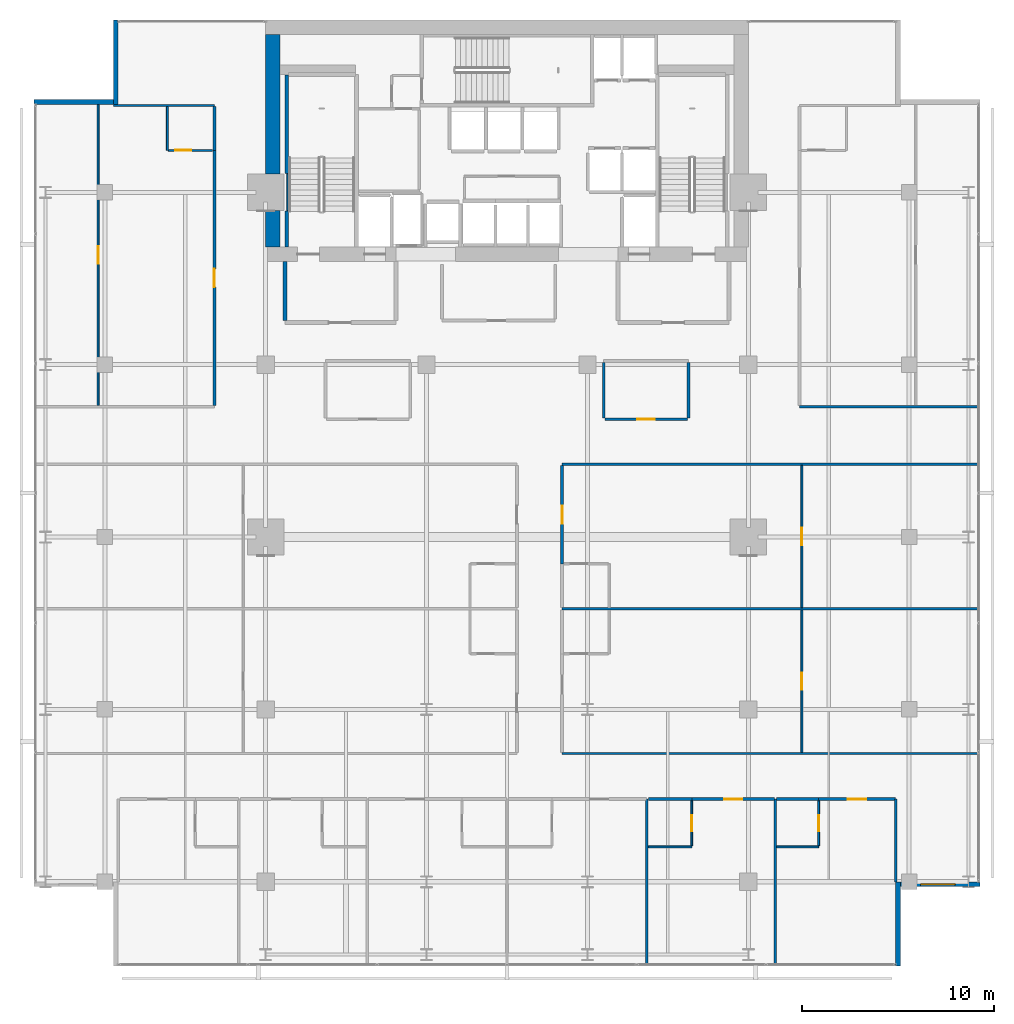
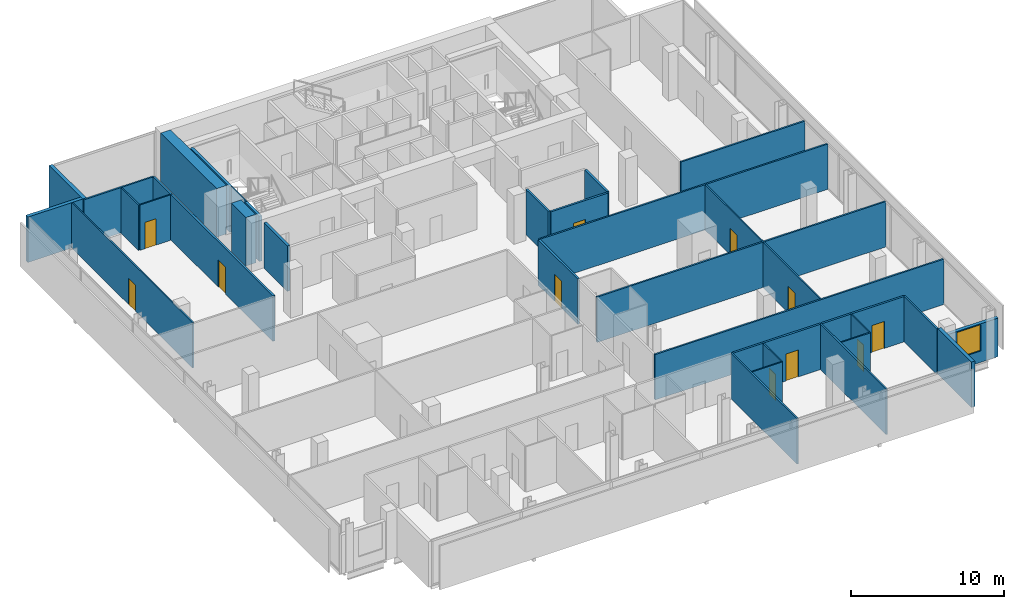
# One storey, part 28 of 33: 37 walls, 11 doors, 1 window, 12 openings.
"""IFC4 building model written with IfcOpenShell, lengths in metres."""

from ifc_helpers import new_model, si_unit, direction, frame, frame_2d, origin, place, context, subcontext, project, spatial, rectangle, extrude, material, layer, layer_set, type_object, element, fill, save


model = new_model("IFC4")

# Units and contexts
model_context = context("Model", 3, precision=1e-05, world=origin(), true_north=direction((0.0, 1.0)))
body_context = subcontext(model_context, "Body", "Model", "MODEL_VIEW")
ifc_project = project(units=[si_unit("LENGTHUNIT", "METRE"), si_unit("AREAUNIT", "SQUARE_METRE"), si_unit("VOLUMEUNIT", "CUBIC_METRE"), si_unit("PLANEANGLEUNIT", "RADIAN"), si_unit("MASSUNIT", "GRAM", prefix="KILO")], contexts=[model_context])

# Site, building, storey
site_placement = place(None, origin())
site = spatial("IfcSite", under=ifc_project, at=site_placement, CompositionType="ELEMENT")
building_placement = place(site_placement, origin())
building = spatial("IfcBuilding", under=site, at=building_placement, Name="Maruvema Waterfront Hotel and Observation Tower", CompositionType="ELEMENT")
storey_placement = place(building_placement, frame((0.0, 0.0, 196.699951171875)))
storey = spatial("IfcBuildingStorey", under=building, at=storey_placement, Name="L48", CompositionType="ELEMENT", Elevation=196.699951171875)

# Walls
ifc_material_1 = material(Name="Twin-stud acoustic gypsum drywall", Category="gypsum")
ifc_layer_1 = layer(ifc_material_1, 0.14990234375, Name="Acoustic Corridor and Suite Demising Wall 150 mm")
ifc_layer_set_1 = layer_set([ifc_layer_1], Name="Twin-stud acoustic gypsum drywall")
wall_type_1 = type_object("IfcWallType", Name="Acoustic Corridor and Suite Demising Wall 150 mm", PredefinedType="PARTITIONING", material=ifc_layer_set_1)
for number, where, z_axis, x_axis, name in (
    (1, (42.85009765625, 33.22998046875, 0.0), (0.0, 0.0, 1.0), (0.0, 1.0, 0.0), "L48 L48-M2 West Wall 026"),
    (2, (47.280029296875, 33.22998046875, 0.0), (0.0, 0.0, 1.0), (0.0, 1.0, 0.0), "L48 L48-M2 East Wall 027"),
):
    element("IfcWall", number, at=place(storey_placement, frame(where, z_axis=z_axis, x_axis=x_axis)), inside=storey, type_object=wall_type_1, Name=name, PredefinedType="PARTITIONING", context=body_context, shape_type="SweptSolid", body=[
        extrude(rectangle(XDim=2.89013671875, YDim=0.14990234375, at=frame_2d((1.445068359375, 0.0))), origin(), (0.0, 0.0, 1.0), 3.610107421875),
    ])

# Wall, opening, door
wall_1_placement = place(storey_placement, frame((42.909912109375, 33.14990234375, 0.0), z_axis=(0.0, 0.0, 1.0), x_axis=(1.0, 0.0, 0.0)))
wall_1 = element("IfcWall", 3, at=wall_1_placement, inside=storey, type_object=wall_type_1, Name="L48 L48-M2 Front 1 028", PredefinedType="PARTITIONING", context=body_context, shape_type="SweptSolid", body=[
    extrude(rectangle(XDim=4.31005859375, YDim=0.14990234375, at=frame_2d((2.155029296875, 0.0))), origin(), (0.0, 0.0, 1.0), 3.610107421875),
])
opening_1_placement = place(wall_1_placement, frame((1.705078125, 0.0, 0.0)))
opening_1 = element("IfcOpeningElement", 4, at=opening_1_placement, cuts=wall_1, Name="Opening DR-090", PredefinedType="OPENING", context=body_context, shape_type="SweptSolid", body=[
    extrude(rectangle(XDim=0.89990234375, YDim=2.10009765625, at=frame_2d((0.449951171875, 1.050048828125))), frame((0.0, 0.0849609375, 0.0), z_axis=(0.0, -1.0, 0.0), x_axis=(1.0, 0.0, 0.0)), (0.0, 0.0, 1.0), 0.169921875),
])
ifc_material_2 = material(Name="Solid-core lacquered timber leaf", Category="wood")
door_type_1 = type_object("IfcDoorType", Name="Accessible Toilet and Room Door 900x2100 mm", OperationType="NOTDEFINED", PredefinedType="DOOR", material=ifc_material_2)
door_1_placement = place(opening_1_placement, frame((0.89990234375, 0.0, 0.0), z_axis=(0.0, 0.0, 1.0), x_axis=(-1.0, 0.0, 0.0)))
door_1 = element("IfcDoor", 5, at=door_1_placement, inside=storey, type_object=door_type_1, Name="L48 Executive Office 3 Door", OperationType="SINGLE_SWING_LEFT", OverallHeight=2.10009765625, OverallWidth=0.89990234375, PredefinedType="DOOR", context=body_context, shape_type="SweptSolid", body=[
    extrude(rectangle(XDim=0.89990234375, YDim=2.10009765625, at=frame_2d((0.449951171875, 1.050048828125))), frame((0.0, 0.02490234375, 0.0), z_axis=(0.0, -1.0, 0.0), x_axis=(1.0, 0.0, 0.0)), (0.0, 0.0, 1.0), 0.050048828125),
])
fill(opening_1, door_1)

# Wall
wall_2_placement = place(storey_placement, frame((45.179931640625, 13.320068359375, 0.0), z_axis=(0.0, 0.0, 1.0), x_axis=(1.0, 0.0, 0.0)))
element("IfcWall", 6, at=wall_2_placement, inside=storey, type_object=wall_type_1, Name="L48 Bath L48-S5 Back Wall 051", PredefinedType="PARTITIONING", context=body_context, shape_type="SweptSolid", body=[
    extrude(rectangle(XDim=2.27001953125, YDim=0.14990234375, at=frame_2d((1.135009765625, 0.0))), origin(), (0.0, 0.0, 1.0), 3.610107421875),
])

# Wall, opening, door
wall_3_placement = place(storey_placement, frame((47.449951171875, 13.320068359375, 0.0), z_axis=(0.0, 0.0, 1.0), x_axis=(1.0, 0.0, 0.0)))
wall_3 = element("IfcWall", 7, at=wall_3_placement, inside=storey, type_object=wall_type_1, Name="L48 Unit L48-S5 Corridor Wall 054", PredefinedType="PARTITIONING", context=body_context, shape_type="SweptSolid", body=[
    extrude(rectangle(XDim=4.330078125, YDim=0.14990234375, at=frame_2d((2.1650390625, 0.0))), origin(), (0.0, 0.0, 1.0), 3.610107421875),
])
opening_2_placement = place(wall_3_placement, frame((1.68994140625, 0.0, 0.0)))
opening_2 = element("IfcOpeningElement", 8, at=opening_2_placement, cuts=wall_3, Name="Opening DR-095", PredefinedType="OPENING", context=body_context, shape_type="SweptSolid", body=[
    extrude(rectangle(XDim=0.949951171875, YDim=2.14990234375, at=frame_2d((0.47509765625, 1.074951171875))), frame((0.0, 0.0849609375, 0.0), z_axis=(0.0, -1.0, 0.0), x_axis=(1.0, 0.0, 0.0)), (0.0, 0.0, 1.0), 0.169921875),
])
ifc_material_3 = material(Name="Acoustic solid-core hardwood timber leaf", Category="wood")
door_type_2 = type_object("IfcDoorType", Name="Guestroom Entrance Fire Door 950x2150 mm", OperationType="NOTDEFINED", PredefinedType="DOOR", material=ifc_material_3)
door_2_placement = place(opening_2_placement, frame((0.949951171875, 0.0, 0.0), z_axis=(0.0, 0.0, 1.0), x_axis=(-1.0, 0.0, 0.0)))
door_2 = element("IfcDoor", 9, at=door_2_placement, inside=storey, type_object=door_type_2, Name="L48 Unit L48-S5 Entrance Door", OperationType="SINGLE_SWING_LEFT", OverallHeight=2.14990234375, OverallWidth=0.949951171875, PredefinedType="DOOR", context=body_context, shape_type="SweptSolid", body=[
    extrude(rectangle(XDim=0.949951171875, YDim=2.14990234375, at=frame_2d((0.47509765625, 1.074951171875))), frame((0.0, 0.02490234375, 0.0), z_axis=(0.0, -1.0, 0.0), x_axis=(1.0, 0.0, 0.0)), (0.0, 0.0, 1.0), 0.050048828125),
])
fill(opening_2, door_2)

# Wall
wall_4_placement = place(storey_placement, frame((51.8798828125, 13.320068359375, 0.0), z_axis=(0.0, 0.0, 1.0), x_axis=(1.0, 0.0, 0.0)))
element("IfcWall", 10, at=wall_4_placement, inside=storey, type_object=wall_type_1, Name="L48 Bath L48-S6 Back Wall 056", PredefinedType="PARTITIONING", context=body_context, shape_type="SweptSolid", body=[
    extrude(rectangle(XDim=2.190185546875, YDim=0.14990234375, at=frame_2d((1.09521484375, 0.0))), origin(), (0.0, 0.0, 1.0), 3.610107421875),
])

# Wall, opening, door
wall_5_placement = place(storey_placement, frame((54.070068359375, 13.320068359375, 0.0), z_axis=(0.0, 0.0, 1.0), x_axis=(1.0, 0.0, 0.0)))
wall_5 = element("IfcWall", 11, at=wall_5_placement, inside=storey, type_object=wall_type_1, Name="L48 Unit L48-S6 Corridor Wall 059", PredefinedType="PARTITIONING", context=body_context, shape_type="SweptSolid", body=[
    extrude(rectangle(XDim=4.010009765625, YDim=0.14990234375, at=frame_2d((2.0048828125, 0.0))), origin(), (0.0, 0.0, 1.0), 3.610107421875),
])
opening_3_placement = place(wall_5_placement, frame((1.530029296875, 0.0, 0.0)))
opening_3 = element("IfcOpeningElement", 12, at=opening_3_placement, cuts=wall_5, Name="Opening DR-095", PredefinedType="OPENING", context=body_context, shape_type="SweptSolid", body=[
    extrude(rectangle(XDim=0.949951171875, YDim=2.14990234375, at=frame_2d((0.47509765625, 1.074951171875))), frame((0.0, 0.0849609375, 0.0), z_axis=(0.0, -1.0, 0.0), x_axis=(1.0, 0.0, 0.0)), (0.0, 0.0, 1.0), 0.169921875),
])
door_3_placement = place(opening_3_placement, frame((0.949951171875, 0.0, 0.0), z_axis=(0.0, 0.0, 1.0), x_axis=(-1.0, 0.0, 0.0)))
door_3 = element("IfcDoor", 13, at=door_3_placement, inside=storey, type_object=door_type_2, Name="L48 Unit L48-S6 Entrance Door", OperationType="SINGLE_SWING_LEFT", OverallHeight=2.14990234375, OverallWidth=0.949951171875, PredefinedType="DOOR", context=body_context, shape_type="SweptSolid", body=[
    extrude(rectangle(XDim=0.949951171875, YDim=2.14990234375, at=frame_2d((0.47509765625, 1.074951171875))), frame((0.0, 0.02490234375, 0.0), z_axis=(0.0, -1.0, 0.0), x_axis=(1.0, 0.0, 0.0)), (0.0, 0.0, 1.0), 0.050048828125),
])
fill(opening_3, door_3)

wall_6_placement = place(storey_placement, frame((40.679931640625, 25.60009765625, 0.0), z_axis=(0.0, 0.0, 1.0), x_axis=(0.0, 1.0, 0.0)))
wall_6 = element("IfcWall", 14, at=wall_6_placement, inside=storey, type_object=wall_type_1, Name="L48 Room L48-E2 Corridor Wall 082", PredefinedType="PARTITIONING", context=body_context, shape_type="SweptSolid", body=[
    extrude(rectangle(XDim=5.139892578125, YDim=0.14990234375, at=frame_2d((2.56982421875, 0.0))), origin(), (0.0, 0.0, 1.0), 3.610107421875),
])
opening_4_placement = place(wall_6_placement, frame((2.094970703125, 0.0, 0.0)))
opening_4 = element("IfcOpeningElement", 15, at=opening_4_placement, cuts=wall_6, Name="Opening DR-095", PredefinedType="OPENING", context=body_context, shape_type="SweptSolid", body=[
    extrude(rectangle(XDim=0.949951171875, YDim=2.14990234375, at=frame_2d((0.47509765625, 1.074951171875))), frame((0.0, 0.0849609375, 0.0), z_axis=(0.0, -1.0, 0.0), x_axis=(1.0, 0.0, 0.0)), (0.0, 0.0, 1.0), 0.169921875),
])
door_4_placement = place(opening_4_placement, frame((0.949951171875, 0.0, 0.0), z_axis=(0.0, 0.0, 1.0), x_axis=(-1.0, 0.0, 0.0)))
door_4 = element("IfcDoor", 16, at=door_4_placement, inside=storey, type_object=door_type_2, Name="L48 Room L48-E2 Entrance Door", OperationType="SINGLE_SWING_RIGHT", OverallHeight=2.14990234375, OverallWidth=0.949951171875, PredefinedType="DOOR", context=body_context, shape_type="SweptSolid", body=[
    extrude(rectangle(XDim=0.949951171875, YDim=2.14990234375, at=frame_2d((0.47509765625, 1.074951171875))), frame((0.0, 0.02490234375, 0.0), z_axis=(0.0, -1.0, 0.0), x_axis=(1.0, 0.0, 0.0)), (0.0, 0.0, 1.0), 0.050048828125),
])
fill(opening_4, door_4)

wall_7_placement = place(storey_placement, frame((22.52001953125, 33.860107421875, 0.0), z_axis=(0.0, 0.0, 1.0), x_axis=(0.0, 1.0, 0.0)))
wall_7 = element("IfcWall", 17, at=wall_7_placement, inside=storey, type_object=wall_type_1, Name="L48 Room L48-NW1 Corridor Wall 090", PredefinedType="PARTITIONING", context=body_context, shape_type="SweptSolid", body=[
    extrude(rectangle(XDim=13.327392578125, YDim=0.14990234375, at=frame_2d((6.66357421875, 0.0))), origin(), (0.0, 0.0, 1.0), 3.610107421875),
])
opening_5_placement = place(wall_7_placement, frame((6.188720703125, 0.0, 0.0)))
opening_5 = element("IfcOpeningElement", 18, at=opening_5_placement, cuts=wall_7, Name="Opening DR-095", PredefinedType="OPENING", context=body_context, shape_type="SweptSolid", body=[
    extrude(rectangle(XDim=0.949951171875, YDim=2.14990234375, at=frame_2d((0.47509765625, 1.074951171875))), frame((0.0, 0.0849609375, 0.0), z_axis=(0.0, -1.0, 0.0), x_axis=(1.0, 0.0, 0.0)), (0.0, 0.0, 1.0), 0.169921875),
])
door_5_placement = place(opening_5_placement, origin())
door_5 = element("IfcDoor", 19, at=door_5_placement, inside=storey, type_object=door_type_2, Name="L48 Room L48-NW1 Entrance Door", OperationType="SINGLE_SWING_LEFT", OverallHeight=2.14990234375, OverallWidth=0.949951171875, PredefinedType="DOOR", context=body_context, shape_type="SweptSolid", body=[
    extrude(rectangle(XDim=0.949951171875, YDim=2.14990234375, at=frame_2d((0.47509765625, 1.074951171875))), frame((0.0, 0.02490234375, 0.0), z_axis=(0.0, -1.0, 0.0), x_axis=(1.0, 0.0, 0.0)), (0.0, 0.0, 1.0), 0.050048828125),
])
fill(opening_5, door_5)

# Walls
wall_8_placement = place(storey_placement, frame((22.52001953125, 47.1875, 0.0), z_axis=(0.0, 0.0, 1.0), x_axis=(0.0, 1.0, 0.0)))
element("IfcWall", 20, at=wall_8_placement, inside=storey, type_object=wall_type_1, Name="L48 Bath L48-NW1 Wall 091", PredefinedType="PARTITIONING", context=body_context, shape_type="SweptSolid", body=[
    extrude(rectangle(XDim=2.2900390625, YDim=0.14990234375, at=frame_2d((1.14501953125, 0.0))), origin(), (0.0, 0.0, 1.0), 3.610107421875),
])
ifc_material_4 = material(Name="Precast concrete C45/55", Category="concrete")
ifc_layer_2 = layer(ifc_material_4, 0.199951171875, Name="Core Shaft and Stairwell Enclosure Wall 200 mm")
ifc_layer_set_2 = layer_set([ifc_layer_2], Name="Precast concrete C45/55")
wall_type_2 = type_object("IfcWallType", Name="Core Shaft and Stairwell Enclosure Wall 200 mm", PredefinedType="SOLIDWALL", material=ifc_layer_set_2)
wall_9_placement = place(storey_placement, frame((26.300048828125, 42.14990234375, 0.0), z_axis=(0.0, 0.0, 1.0), x_axis=(0.0, 1.0, 0.0)))
element("IfcWall", 21, at=wall_9_placement, inside=storey, type_object=wall_type_2, Name="L48 Stairwell ST-01 Shaft Lining Wall", PredefinedType="SOLIDWALL", context=body_context, shape_type="SweptSolid", body=[
    extrude(rectangle(XDim=1.8701171875, YDim=0.199951171875, at=frame_2d((0.93505859375, 0.0))), origin(), (0.0, 0.0, 1.0), 3.610107421875),
])
wall_10_placement = place(storey_placement, frame((26.300048828125, 45.97998046875, 0.0), z_axis=(0.0, 0.0, 1.0), x_axis=(0.0, 1.0, 0.0)))
element("IfcWall", 22, at=wall_10_placement, inside=storey, type_object=wall_type_2, Name="L48 Stairwell ST-01 Shaft Lining Wall", PredefinedType="SOLIDWALL", context=body_context, shape_type="SweptSolid", body=[
    extrude(rectangle(XDim=5.14013671875, YDim=0.199951171875, at=frame_2d((2.570068359375, 0.0))), origin(), (0.0, 0.0, 1.0), 3.610107421875),
])
ifc_material_5 = material(Name="Concrete C70/85", Category="concrete")
ifc_layer_3 = layer(ifc_material_5, 0.75, Name="Core Shear Wall 750 mm")
ifc_layer_set_3 = layer_set([ifc_layer_3], Name="Concrete C70/85")
wall_type_3 = type_object("IfcWallType", Name="Core Shear Wall 750 mm", PredefinedType="SHEAR", material=ifc_layer_set_3)
wall_11_placement = place(storey_placement, frame((25.574951171875, 42.14990234375, 0.0), z_axis=(0.0, 0.0, 1.0), x_axis=(0.0, 1.0, 0.0)))
element("IfcWall", 23, at=wall_11_placement, inside=storey, type_object=wall_type_3, Name="L48 West-South Core Shear Wall", PredefinedType="SHEAR", context=body_context, shape_type="SweptSolid", body=[
    extrude(rectangle(XDim=1.900146484375, YDim=0.75, at=frame_2d((0.9501953125, 0.0))), origin(), (0.0, 0.0, 1.0), 3.85009765625),
])
wall_12_placement = place(storey_placement, frame((25.574951171875, 45.949951171875, 0.0), z_axis=(0.0, 0.0, 1.0), x_axis=(0.0, 1.0, 0.0)))
element("IfcWall", 24, at=wall_12_placement, inside=storey, type_object=wall_type_3, Name="L48 West-North Core Shear Wall", PredefinedType="SHEAR", context=body_context, shape_type="SweptSolid", body=[
    extrude(rectangle(XDim=7.300048828125, YDim=0.75, at=frame_2d((3.64990234375, 0.0))), origin(), (0.0, 0.0, 1.0), 3.85009765625),
])
ifc_material_6 = material(Name="Moisture-resistant cement-board drywall", Category="gypsum")
ifc_layer_4 = layer(ifc_material_6, 0.10009765625, Name="En-Suite Moisture-Resistant Partition 100 mm")
ifc_layer_set_4 = layer_set([ifc_layer_4], Name="Moisture-resistant cement-board drywall")
wall_type_4 = type_object("IfcWallType", Name="En-Suite Moisture-Resistant Partition 100 mm", PredefinedType="PARTITIONING", material=ifc_layer_set_4)
wall_13_placement = place(storey_placement, frame((45.179931640625, 10.820068359375, 0.0), z_axis=(0.0, 0.0, 1.0), x_axis=(1.0, 0.0, 0.0)))
element("IfcWall", 25, at=wall_13_placement, inside=storey, type_object=wall_type_4, Name="L48 En-Suite L48-S5 South 052", PredefinedType="PARTITIONING", context=body_context, shape_type="SweptSolid", body=[
    extrude(rectangle(XDim=2.27001953125, YDim=0.10009765625, at=frame_2d((1.135009765625, 0.0))), origin(), (0.0, 0.0, 1.0), 3.610107421875),
])

# Wall, opening, door
wall_14_placement = place(storey_placement, frame((47.449951171875, 10.8798828125, 0.0), z_axis=(0.0, 0.0, 1.0), x_axis=(0.0, 1.0, 0.0)))
wall_14 = element("IfcWall", 26, at=wall_14_placement, inside=storey, type_object=wall_type_4, Name="L48 En-Suite L48-S5 East 053", PredefinedType="PARTITIONING", context=body_context, shape_type="SweptSolid", body=[
    extrude(rectangle(XDim=2.340087890625, YDim=0.10009765625, at=frame_2d((1.169921875, 0.0))), origin(), (0.0, 0.0, 1.0), 3.610107421875),
])
opening_6_placement = place(wall_14_placement, frame((0.7451171875, 0.0, 0.0)))
opening_6 = element("IfcOpeningElement", 27, at=opening_6_placement, cuts=wall_14, Name="Opening DR-085", PredefinedType="OPENING", context=body_context, shape_type="SweptSolid", body=[
    extrude(rectangle(XDim=0.85009765625, YDim=2.10009765625, at=frame_2d((0.425048828125, 1.050048828125))), frame((0.0, 0.06005859375, 0.0), z_axis=(0.0, -1.0, 0.0), x_axis=(1.0, 0.0, 0.0)), (0.0, 0.0, 1.0), 0.1201171875),
])
ifc_material_7 = material(Name="Moisture-resistant solid timber leaf", Category="wood")
door_type_3 = type_object("IfcDoorType", Name="En-Suite Bathroom Door 850x2100 mm", OperationType="NOTDEFINED", PredefinedType="DOOR", material=ifc_material_7)
door_6_placement = place(opening_6_placement, frame((0.85009765625, 0.0, 0.0), z_axis=(0.0, 0.0, 1.0), x_axis=(-1.0, 0.0, 0.0)))
door_6 = element("IfcDoor", 28, at=door_6_placement, inside=storey, type_object=door_type_3, Name="L48 En-Suite L48-S5 Door", OperationType="SINGLE_SWING_RIGHT", OverallHeight=2.10009765625, OverallWidth=0.85009765625, PredefinedType="DOOR", context=body_context, shape_type="SweptSolid", body=[
    extrude(rectangle(XDim=0.85009765625, YDim=2.10009765625, at=frame_2d((0.425048828125, 1.050048828125))), frame((0.0, 0.02490234375, 0.0), z_axis=(0.0, -1.0, 0.0), x_axis=(1.0, 0.0, 0.0)), (0.0, 0.0, 1.0), 0.050048828125),
])
fill(opening_6, door_6)

# Wall
wall_15_placement = place(storey_placement, frame((51.8798828125, 10.820068359375, 0.0), z_axis=(0.0, 0.0, 1.0), x_axis=(1.0, 0.0, 0.0)))
element("IfcWall", 29, at=wall_15_placement, inside=storey, type_object=wall_type_4, Name="L48 En-Suite L48-S6 South 057", PredefinedType="PARTITIONING", context=body_context, shape_type="SweptSolid", body=[
    extrude(rectangle(XDim=2.190185546875, YDim=0.10009765625, at=frame_2d((1.09521484375, 0.0))), origin(), (0.0, 0.0, 1.0), 3.610107421875),
])

# Wall, opening, door
wall_16_placement = place(storey_placement, frame((54.070068359375, 10.8798828125, 0.0), z_axis=(0.0, 0.0, 1.0), x_axis=(0.0, 1.0, 0.0)))
wall_16 = element("IfcWall", 30, at=wall_16_placement, inside=storey, type_object=wall_type_4, Name="L48 En-Suite L48-S6 East 058", PredefinedType="PARTITIONING", context=body_context, shape_type="SweptSolid", body=[
    extrude(rectangle(XDim=2.340087890625, YDim=0.10009765625, at=frame_2d((1.169921875, 0.0))), origin(), (0.0, 0.0, 1.0), 3.610107421875),
])
opening_7_placement = place(wall_16_placement, frame((0.7451171875, 0.0, 0.0)))
opening_7 = element("IfcOpeningElement", 31, at=opening_7_placement, cuts=wall_16, Name="Opening DR-085", PredefinedType="OPENING", context=body_context, shape_type="SweptSolid", body=[
    extrude(rectangle(XDim=0.85009765625, YDim=2.10009765625, at=frame_2d((0.425048828125, 1.050048828125))), frame((0.0, 0.06005859375, 0.0), z_axis=(0.0, -1.0, 0.0), x_axis=(1.0, 0.0, 0.0)), (0.0, 0.0, 1.0), 0.1201171875),
])
door_7_placement = place(opening_7_placement, frame((0.85009765625, 0.0, 0.0), z_axis=(0.0, 0.0, 1.0), x_axis=(-1.0, 0.0, 0.0)))
door_7 = element("IfcDoor", 32, at=door_7_placement, inside=storey, type_object=door_type_3, Name="L48 En-Suite L48-S6 Door", OperationType="SINGLE_SWING_RIGHT", OverallHeight=2.10009765625, OverallWidth=0.85009765625, PredefinedType="DOOR", context=body_context, shape_type="SweptSolid", body=[
    extrude(rectangle(XDim=0.85009765625, YDim=2.10009765625, at=frame_2d((0.425048828125, 1.050048828125))), frame((0.0, 0.02490234375, 0.0), z_axis=(0.0, -1.0, 0.0), x_axis=(1.0, 0.0, 0.0)), (0.0, 0.0, 1.0), 0.050048828125),
])
fill(opening_7, door_7)

wall_17_placement = place(storey_placement, frame((53.202392578125, 15.760009765625, 0.0), z_axis=(0.0, 0.0, 1.0), x_axis=(0.0, 1.0, 0.0)))
wall_17 = element("IfcWall", 33, at=wall_17_placement, inside=storey, type_object=wall_type_4, Name="L48 Suite L48-E1 Split 073", PredefinedType="PARTITIONING", context=body_context, shape_type="SweptSolid", body=[
    extrude(rectangle(XDim=7.429931640625, YDim=0.10009765625, at=frame_2d((3.71484375, 0.0))), origin(), (0.0, 0.0, 1.0), 3.610107421875),
])
opening_8_placement = place(wall_17_placement, frame((3.264892578125, 0.0, 0.0)))
opening_8 = element("IfcOpeningElement", 34, at=opening_8_placement, cuts=wall_17, Name="Opening DR-090", PredefinedType="OPENING", context=body_context, shape_type="SweptSolid", body=[
    extrude(rectangle(XDim=0.89990234375, YDim=2.10009765625, at=frame_2d((0.449951171875, 1.050048828125))), frame((0.0, 0.06005859375, 0.0), z_axis=(0.0, -1.0, 0.0), x_axis=(1.0, 0.0, 0.0)), (0.0, 0.0, 1.0), 0.1201171875),
])
door_8_placement = place(opening_8_placement, frame((0.89990234375, 0.0, 0.0), z_axis=(0.0, 0.0, 1.0), x_axis=(-1.0, 0.0, 0.0)))
door_8 = element("IfcDoor", 35, at=door_8_placement, inside=storey, type_object=door_type_1, Name="L48 Suite L48-E1 Bedroom Door", OperationType="SINGLE_SWING_LEFT", OverallHeight=2.10009765625, OverallWidth=0.89990234375, PredefinedType="DOOR", context=body_context, shape_type="SweptSolid", body=[
    extrude(rectangle(XDim=0.89990234375, YDim=2.10009765625, at=frame_2d((0.449951171875, 1.050048828125))), frame((0.0, 0.02490234375, 0.0), z_axis=(0.0, -1.0, 0.0), x_axis=(1.0, 0.0, 0.0)), (0.0, 0.0, 1.0), 0.050048828125),
])
fill(opening_8, door_8)

wall_18_placement = place(storey_placement, frame((53.202392578125, 23.31005859375, 0.0), z_axis=(0.0, 0.0, 1.0), x_axis=(0.0, 1.0, 0.0)))
wall_18 = element("IfcWall", 36, at=wall_18_placement, inside=storey, type_object=wall_type_4, Name="L48 Suite L48-E2 Split 085", PredefinedType="PARTITIONING", context=body_context, shape_type="SweptSolid", body=[
    extrude(rectangle(XDim=7.429931640625, YDim=0.10009765625, at=frame_2d((3.71484375, 0.0))), origin(), (0.0, 0.0, 1.0), 3.610107421875),
])
opening_9_placement = place(wall_18_placement, frame((3.264892578125, 0.0, 0.0)))
opening_9 = element("IfcOpeningElement", 37, at=opening_9_placement, cuts=wall_18, Name="Opening DR-090", PredefinedType="OPENING", context=body_context, shape_type="SweptSolid", body=[
    extrude(rectangle(XDim=0.89990234375, YDim=2.10009765625, at=frame_2d((0.449951171875, 1.050048828125))), frame((0.0, 0.06005859375, 0.0), z_axis=(0.0, -1.0, 0.0), x_axis=(1.0, 0.0, 0.0)), (0.0, 0.0, 1.0), 0.1201171875),
])
door_9_placement = place(opening_9_placement, frame((0.89990234375, 0.0, 0.0), z_axis=(0.0, 0.0, 1.0), x_axis=(-1.0, 0.0, 0.0)))
door_9 = element("IfcDoor", 38, at=door_9_placement, inside=storey, type_object=door_type_1, Name="L48 Suite L48-E2 Bedroom Door", OperationType="SINGLE_SWING_LEFT", OverallHeight=2.10009765625, OverallWidth=0.89990234375, PredefinedType="DOOR", context=body_context, shape_type="SweptSolid", body=[
    extrude(rectangle(XDim=0.89990234375, YDim=2.10009765625, at=frame_2d((0.449951171875, 1.050048828125))), frame((0.0, 0.02490234375, 0.0), z_axis=(0.0, -1.0, 0.0), x_axis=(1.0, 0.0, 0.0)), (0.0, 0.0, 1.0), 0.050048828125),
])
fill(opening_9, door_9)

# Wall
wall_19_placement = place(storey_placement, frame((20.070068359375, 47.1875, 0.0), z_axis=(0.0, 0.0, 1.0), x_axis=(0.0, 1.0, 0.0)))
element("IfcWall", 39, at=wall_19_placement, inside=storey, type_object=wall_type_4, Name="L48 En-Suite L48-NW1 W 092", PredefinedType="PARTITIONING", context=body_context, shape_type="SweptSolid", body=[
    extrude(rectangle(XDim=2.2900390625, YDim=0.10009765625, at=frame_2d((1.14501953125, 0.0))), origin(), (0.0, 0.0, 1.0), 3.610107421875),
])

# Wall, opening, door
wall_20_placement = place(storey_placement, frame((20.1201171875, 47.1875, 0.0), z_axis=(0.0, 0.0, 1.0), x_axis=(1.0, 0.0, 0.0)))
wall_20 = element("IfcWall", 40, at=wall_20_placement, inside=storey, type_object=wall_type_4, Name="L48 En-Suite L48-NW1 S 093", PredefinedType="PARTITIONING", context=body_context, shape_type="SweptSolid", body=[
    extrude(rectangle(XDim=2.2998046875, YDim=0.10009765625, at=frame_2d((1.14990234375, 0.0))), origin(), (0.0, 0.0, 1.0), 3.610107421875),
])
opening_10_placement = place(wall_20_placement, frame((0.35009765625, 0.0, 0.0)))
opening_10 = element("IfcOpeningElement", 41, at=opening_10_placement, cuts=wall_20, Name="Opening DR-085", PredefinedType="OPENING", context=body_context, shape_type="SweptSolid", body=[
    extrude(rectangle(XDim=0.85009765625, YDim=2.10009765625, at=frame_2d((0.425048828125, 1.050048828125))), frame((0.0, 0.06005859375, 0.0), z_axis=(0.0, -1.0, 0.0), x_axis=(1.0, 0.0, 0.0)), (0.0, 0.0, 1.0), 0.1201171875),
])
door_10_placement = place(opening_10_placement, frame((0.85009765625, 0.0, 0.0), z_axis=(0.0, 0.0, 1.0), x_axis=(-1.0, 0.0, 0.0)))
door_10 = element("IfcDoor", 42, at=door_10_placement, inside=storey, type_object=door_type_3, Name="L48 En-Suite L48-NW1 Door", OperationType="SINGLE_SWING_RIGHT", OverallHeight=2.10009765625, OverallWidth=0.85009765625, PredefinedType="DOOR", context=body_context, shape_type="SweptSolid", body=[
    extrude(rectangle(XDim=0.85009765625, YDim=2.10009765625, at=frame_2d((0.425048828125, 1.050048828125))), frame((0.0, 0.02490234375, 0.0), z_axis=(0.0, -1.0, 0.0), x_axis=(1.0, 0.0, 0.0)), (0.0, 0.0, 1.0), 0.050048828125),
])
fill(opening_10, door_10)

wall_21_placement = place(storey_placement, frame((16.445556640625, 33.860107421875, 0.0), z_axis=(0.0, 0.0, 1.0), x_axis=(0.0, 1.0, 0.0)))
wall_21 = element("IfcWall", 43, at=wall_21_placement, inside=storey, type_object=wall_type_4, Name="L48 Suite L48-NW1 Split 094", PredefinedType="PARTITIONING", context=body_context, shape_type="SweptSolid", body=[
    extrude(rectangle(XDim=15.7373046875, YDim=0.10009765625, at=frame_2d((7.86865234375, 0.0))), origin(), (0.0, 0.0, 1.0), 3.610107421875),
])
opening_11_placement = place(wall_21_placement, frame((7.418701171875, 0.0, 0.0)))
opening_11 = element("IfcOpeningElement", 44, at=opening_11_placement, cuts=wall_21, Name="Opening DR-090", PredefinedType="OPENING", context=body_context, shape_type="SweptSolid", body=[
    extrude(rectangle(XDim=0.89990234375, YDim=2.10009765625, at=frame_2d((0.449951171875, 1.050048828125))), frame((0.0, 0.06005859375, 0.0), z_axis=(0.0, -1.0, 0.0), x_axis=(1.0, 0.0, 0.0)), (0.0, 0.0, 1.0), 0.1201171875),
])
door_11_placement = place(opening_11_placement, origin())
door_11 = element("IfcDoor", 45, at=door_11_placement, inside=storey, type_object=door_type_1, Name="L48 Suite L48-NW1 Bedroom Door", OperationType="SINGLE_SWING_RIGHT", OverallHeight=2.10009765625, OverallWidth=0.89990234375, PredefinedType="DOOR", context=body_context, shape_type="SweptSolid", body=[
    extrude(rectangle(XDim=0.89990234375, YDim=2.10009765625, at=frame_2d((0.449951171875, 1.050048828125))), frame((0.0, 0.02490234375, 0.0), z_axis=(0.0, -1.0, 0.0), x_axis=(1.0, 0.0, 0.0)), (0.0, 0.0, 1.0), 0.050048828125),
])
fill(opening_11, door_11)

# Wall
ifc_material_8 = material(Name="Precast concrete C45/55 with honed Pernambuco granite facing", Category="masonry")
ifc_layer_5 = layer(ifc_material_8, 0.260009765625, Name="Exterior Granite Clad Spandrel and Pier Wall 260 mm")
ifc_layer_set_5 = layer_set([ifc_layer_5], Name="Precast concrete C45/55 with honed Pernambuco granite facing")
wall_type_5 = type_object("IfcWallType", Name="Exterior Granite Clad Spandrel and Pier Wall 260 mm", PredefinedType="SOLIDWALL", material=ifc_layer_set_5)
wall_22_placement = place(storey_placement, frame((58.22998046875, 9.0, 0.0), z_axis=(0.0, 0.0, 1.0), x_axis=(0.0, -1.0, 0.0)))
element("IfcWall", 46, at=wall_22_placement, inside=storey, type_object=wall_type_5, Name="L48 Corner Notch Granite Pier Wall SE1", PredefinedType="SOLIDWALL", context=body_context, shape_type="SweptSolid", body=[
    extrude(rectangle(XDim=4.39990234375, YDim=0.260009765625, at=frame_2d((2.199951171875, 0.0))), origin(), (0.0, 0.0, 1.0), 3.610107421875),
])

# Wall, opening, window
wall_23_placement = place(storey_placement, frame((62.5, 8.8701171875, 0.0), z_axis=(0.0, 0.0, 1.0), x_axis=(-1.0, 0.0, 0.0)))
wall_23 = element("IfcWall", 47, at=wall_23_placement, inside=storey, type_object=wall_type_5, Name="L48 Corner Notch Granite Pier Wall SE2", PredefinedType="SOLIDWALL", context=body_context, shape_type="SweptSolid", body=[
    extrude(rectangle(XDim=4.39990234375, YDim=0.260009765625, at=frame_2d((2.199951171875, 0.0))), origin(), (0.0, 0.0, 1.0), 3.071044921875),
])
opening_12_placement = place(wall_23_placement, frame((1.300048828125, 0.0, 0.89990234375)))
opening_12 = element("IfcOpeningElement", 48, at=opening_12_placement, cuts=wall_23, Name="Opening WN-02", PredefinedType="OPENING", context=body_context, shape_type="SweptSolid", body=[
    extrude(rectangle(XDim=1.800048828125, YDim=2.10009765625, at=frame_2d((0.89990234375, 1.050048828125))), frame((0.0, 0.14013671875, 0.0), z_axis=(0.0, -1.0, 0.0), x_axis=(1.0, 0.0, 0.0)), (0.0, 0.0, 1.0), 0.280029296875),
])
ifc_material_9 = material(Name="Anodised bronze aluminium frame with laminated low-E glass", Category="aluminium")
window_type = type_object("IfcWindowType", Name="Upper Notch Feature Window 1800x2100 mm", PartitioningType="SINGLE_PANEL", PredefinedType="WINDOW", material=ifc_material_9)
window_placement = place(opening_12_placement, origin())
window = element("IfcWindow", 49, at=window_placement, inside=storey, type_object=window_type, Name="L48 Corner Notch Punched Window SE2", OverallHeight=2.10009765625, OverallWidth=1.800048828125, PartitioningType="SINGLE_PANEL", PredefinedType="WINDOW", context=body_context, shape_type="SweptSolid", body=[
    extrude(rectangle(XDim=1.800048828125, YDim=2.10009765625, at=frame_2d((0.89990234375, 1.050048828125))), frame((0.0, 0.030029296875, 0.0), z_axis=(0.0, -1.0, 0.0), x_axis=(1.0, 0.0, 0.0)), (0.0, 0.0, 1.0), 0.06005859375),
])
fill(opening_12, window)

# Walls
for number, where, z_axis, x_axis, name in (
    (50, (17.3701171875, 49.60009765625, 0.0), (0.0, 0.0, 1.0), (0.0, 1.0, 0.0), "L48 Corner Notch Granite Pier Wall NW1"),
    (51, (13.10009765625, 49.72998046875, 0.0), (0.0, 0.0, 1.0), (1.0, 0.0, 0.0), "L48 Corner Notch Granite Pier Wall NW2"),
):
    element("IfcWall", number, at=place(storey_placement, frame(where, z_axis=z_axis, x_axis=x_axis)), inside=storey, type_object=wall_type_5, Name=name, PredefinedType="SOLIDWALL", context=body_context, shape_type="SweptSolid", body=[
        extrude(rectangle(XDim=4.39990234375, YDim=0.260009765625, at=frame_2d((2.199951171875, 0.0))), origin(), (0.0, 0.0, 1.0), 3.610107421875),
    ])
ifc_material_10 = material(Name="Autoclaved cellular concrete blockwork", Category="masonry")
ifc_layer_6 = layer(ifc_material_10, 0.199951171875, Name="Fire Compartment Masonry Wall 200 mm")
ifc_layer_set_6 = layer_set([ifc_layer_6], Name="Autoclaved cellular concrete blockwork")
wall_type_6 = type_object("IfcWallType", Name="Fire Compartment Masonry Wall 200 mm", PredefinedType="PARTITIONING", material=ifc_layer_set_6)
wall_24_placement = place(storey_placement, frame((26.199951171875, 38.31005859375, 0.0), z_axis=(0.0, 0.0, 1.0), x_axis=(0.0, 1.0, 0.0)))
element("IfcWall", 52, at=wall_24_placement, inside=storey, type_object=wall_type_6, Name="L48 FFL West West Wall 002", PredefinedType="PARTITIONING", context=body_context, shape_type="SweptSolid", body=[
    extrude(rectangle(XDim=3.06982421875, YDim=0.199951171875, at=frame_2d((1.534912109375, 0.0))), origin(), (0.0, 0.0, 1.0), 3.610107421875),
])
ifc_material_11 = material(Name="Acoustic gypsum plasterboard drywall", Category="gypsum")
ifc_layer_7 = layer(ifc_material_11, 0.125, Name="Guestroom Acoustic Demising Wall 125 mm")
ifc_layer_set_7 = layer_set([ifc_layer_7], Name="Acoustic gypsum plasterboard drywall")
wall_type_7 = type_object("IfcWallType", Name="Guestroom Acoustic Demising Wall 125 mm", PredefinedType="PARTITIONING", material=ifc_layer_set_7)
wall_25_placement = place(storey_placement, frame((58.10009765625, 9.0, 0.0), z_axis=(0.0, 0.0, 1.0), x_axis=(0.0, 1.0, 0.0)))
element("IfcWall", 53, at=wall_25_placement, inside=storey, type_object=wall_type_7, Name="L48 Z2 S East End 030", PredefinedType="PARTITIONING", context=body_context, shape_type="SweptSolid", body=[
    extrude(rectangle(XDim=4.320068359375, YDim=0.125, at=frame_2d((2.16015625, 0.0))), origin(), (0.0, 0.0, 1.0), 3.610107421875),
])
for number, where, z_axis, x_axis, name in (
    (54, (45.10009765625, 4.699951171875, 0.0), (0.0, 0.0, 1.0), (0.0, 1.0, 0.0), "L48 Z2 S Demising 5 050"),
    (55, (51.800048828125, 4.699951171875, 0.0), (0.0, 0.0, 1.0), (0.0, 1.0, 0.0), "L48 Z2 S Demising 6 055"),
):
    element("IfcWall", number, at=place(storey_placement, frame(where, z_axis=z_axis, x_axis=x_axis)), inside=storey, type_object=wall_type_7, Name=name, PredefinedType="PARTITIONING", context=body_context, shape_type="SweptSolid", body=[
        extrude(rectangle(XDim=8.6201171875, YDim=0.125, at=frame_2d((4.31005859375, 0.0))), origin(), (0.0, 0.0, 1.0), 3.610107421875),
    ])
for number, where, z_axis, x_axis, name in (
    (56, (40.679931640625, 15.699951171875, 0.0), (0.0, 0.0, 1.0), (1.0, 0.0, 0.0), "L48 Z2 E Bot End 061"),
    (57, (40.679931640625, 30.800048828125, 0.0), (0.0, 0.0, 1.0), (1.0, 0.0, 0.0), "L48 Z2 E Top End 063"),
    (58, (40.679931640625, 23.25, 0.0), (0.0, 0.0, 1.0), (1.0, 0.0, 0.0), "L48 Z2 E Demising 2 075"),
):
    element("IfcWall", number, at=place(storey_placement, frame(where, z_axis=z_axis, x_axis=x_axis)), inside=storey, type_object=wall_type_7, Name=name, PredefinedType="PARTITIONING", context=body_context, shape_type="SweptSolid", body=[
        extrude(rectangle(XDim=21.719970703125, YDim=0.125, at=frame_2d((10.85986328125, 0.0))), origin(), (0.0, 0.0, 1.0), 3.610107421875),
    ])
wall_26_placement = place(storey_placement, frame((53.080078125, 33.800048828125, 0.0), z_axis=(0.0, 0.0, 1.0), x_axis=(1.0, 0.0, 0.0)))
element("IfcWall", 59, at=wall_26_placement, inside=storey, type_object=wall_type_7, Name="L48 Z2 NE Bot End 087", PredefinedType="PARTITIONING", context=body_context, shape_type="SweptSolid", body=[
    extrude(rectangle(XDim=9.31982421875, YDim=0.125, at=frame_2d((4.659912109375, 0.0))), origin(), (0.0, 0.0, 1.0), 3.610107421875),
])
wall_27_placement = place(storey_placement, frame((17.239990234375, 49.53759765625, 0.0), z_axis=(0.0, 0.0, 1.0), x_axis=(1.0, 0.0, 0.0)))
element("IfcWall", 60, at=wall_27_placement, inside=storey, type_object=wall_type_7, Name="L48 Z2 NW Top End 088", PredefinedType="PARTITIONING", context=body_context, shape_type="SweptSolid", body=[
    extrude(rectangle(XDim=5.280029296875, YDim=0.125, at=frame_2d((2.64013671875, 0.0))), origin(), (0.0, 0.0, 1.0), 3.610107421875),
])
ifc_material_12 = material(Name="Precast concrete C45/55", Category="concrete")
ifc_layer_8 = layer(ifc_material_12, 0.10009765625, Name="Stairwell Stringer Cheek Wall 100 mm")
ifc_layer_set_8 = layer_set([ifc_layer_8], Name="Precast concrete C45/55")
wall_type_8 = type_object("IfcWallType", Name="Stairwell Stringer Cheek Wall 100 mm", PredefinedType="SOLIDWALL", material=ifc_layer_set_8)
wall_28_placement = place(storey_placement, frame((26.35205078125, 44.0400390625, 0.0), z_axis=(0.0, 0.0, 1.0), x_axis=(0.0, 1.0, 0.0)))
element("IfcWall", 61, at=wall_28_placement, inside=storey, type_object=wall_type_8, Name="L48 Stairwell ST-01 Mega-Column Cheek Wall", PredefinedType="SOLIDWALL", context=body_context, shape_type="SweptSolid", body=[
    extrude(rectangle(XDim=1.919921875, YDim=0.10009765625, at=frame_2d((0.9599609375, 0.0))), origin(), (0.0, 0.0, 1.0), 3.610107421875),
])

save(model, "model.ifc")
